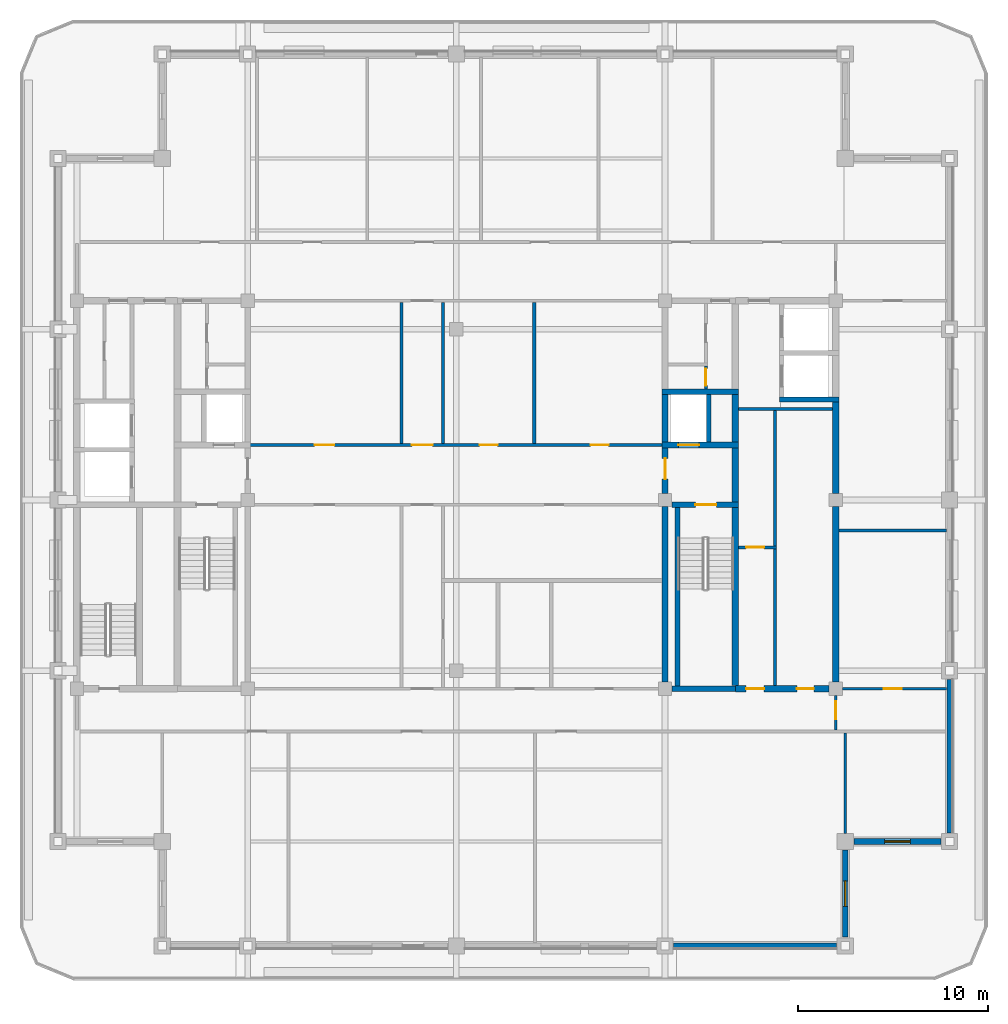
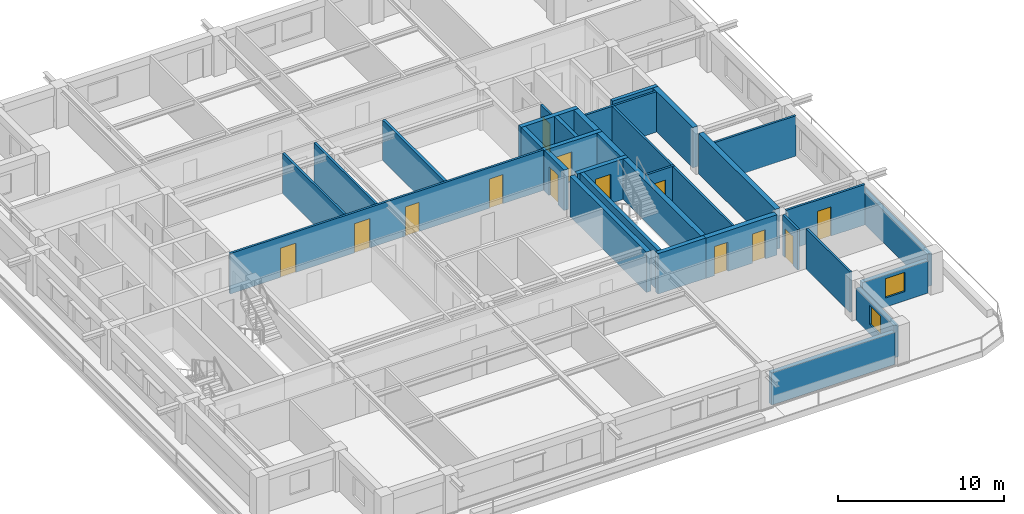
# One storey, part 4 of 11: 33 walls, 13 doors, 2 windows, 15 openings.
"""IFC4 building model written with IfcOpenShell, lengths in metres."""

from ifc_helpers import new_model, si_unit, direction, frame, frame_2d, origin, place, context, subcontext, project, spatial, rectangle, extrude, material, layer, layer_set, type_object, element, fill, save


model = new_model("IFC4")

# Units and contexts
model_context = context("Model", 3, precision=1e-05, world=origin(), true_north=direction((0.0, 1.0)))
body_context = subcontext(model_context, "Body", "Model", "MODEL_VIEW")
ifc_project = project(units=[si_unit("LENGTHUNIT", "METRE"), si_unit("AREAUNIT", "SQUARE_METRE"), si_unit("VOLUMEUNIT", "CUBIC_METRE"), si_unit("PLANEANGLEUNIT", "RADIAN"), si_unit("MASSUNIT", "GRAM", prefix="KILO")], contexts=[model_context])

# Site, building, storey
site_placement = place(None, origin())
site = spatial("IfcSite", under=ifc_project, at=site_placement, CompositionType="ELEMENT")
building_placement = place(site_placement, origin())
building = spatial("IfcBuilding", under=site, at=building_placement, Name="Zulmaris Gate Convention Tower", CompositionType="ELEMENT")
storey_placement = place(building_placement, frame((0.0, 0.0, 233.280029296875)))
storey = spatial("IfcBuildingStorey", under=building, at=storey_placement, Name="L61", CompositionType="ELEMENT", Elevation=233.280029296875)

# Walls
ifc_material_1 = material(Name="Concrete C50/60", Category="concrete")
ifc_layer_1 = layer(ifc_material_1, 0.25, Name="Concrete C50/60")
ifc_layer_set_1 = layer_set([ifc_layer_1], Name="Concrete C50/60")
wall_type_1 = type_object("IfcWallType", Name="CORE-250", PredefinedType="SOLIDWALL", material=ifc_layer_set_1)
wall_1_placement = place(storey_placement, frame((17.02490234375, 5.300048828125, 0.0), z_axis=(0.0, 0.0, 1.0), x_axis=(1.0, 0.0, 0.0)))
element("IfcWall", 1, at=wall_1_placement, inside=storey, type_object=wall_type_1, Name="WL-L61-011", PredefinedType="SOLIDWALL", context=body_context, shape_type="SweptSolid", body=[
    extrude(rectangle(XDim=3.150146484375, YDim=0.25, at=frame_2d((1.5751953125, 0.0))), origin(), (0.0, 0.0, 1.0), 2.97998046875),
])
wall_2_placement = place(storey_placement, frame((11.64990234375, -9.798095703125, 0.0), z_axis=(0.0, 0.0, 1.0), x_axis=(0.0, 1.0, 0.0)))
element("IfcWall", 2, at=wall_2_placement, inside=storey, type_object=wall_type_1, Name="WL-L61-054", PredefinedType="SOLIDWALL", context=body_context, shape_type="SweptSolid", body=[
    extrude(rectangle(XDim=9.39599609375, YDim=0.25, at=frame_2d((4.697998046875, 0.0))), origin(), (0.0, 0.0, 1.0), 2.97998046875),
])
wall_3_placement = place(storey_placement, frame((13.300048828125, 3.052001953125, 0.0), z_axis=(0.0, 0.0, 1.0), x_axis=(0.0, 1.0, 0.0)))
element("IfcWall", 3, at=wall_3_placement, inside=storey, type_object=wall_type_1, Name="WL-L61-055", PredefinedType="SOLIDWALL", context=body_context, shape_type="SweptSolid", body=[
    extrude(rectangle(XDim=2.49609375, YDim=0.25, at=frame_2d((1.248046875, 0.0))), origin(), (0.0, 0.0, 1.0), 2.97998046875),
])
ifc_layer_2 = layer(ifc_material_1, 0.300048828125, Name="Concrete C50/60")
ifc_layer_set_2 = layer_set([ifc_layer_2], Name="Concrete C50/60")
wall_type_2 = type_object("IfcWallType", Name="CORE-300", PredefinedType="SHEAR", material=ifc_layer_set_2)
wall_4_placement = place(storey_placement, frame((11.35400390625, -9.949951171875, 0.0), z_axis=(0.0, 0.0, 1.0), x_axis=(1.0, 0.0, 0.0)))
element("IfcWall", 4, at=wall_4_placement, inside=storey, type_object=wall_type_2, Name="WL-L61-003", PredefinedType="SHEAR", context=body_context, shape_type="SweptSolid", body=[
    extrude(rectangle(XDim=3.345947265625, YDim=0.300048828125, at=frame_2d((1.6728515625, 0.0))), origin(), (0.0, 0.0, 1.0), 2.97998046875),
])

# Wall, opening, door
wall_5_placement = place(storey_placement, frame((11.35400390625, -0.25, 0.0), z_axis=(0.0, 0.0, 1.0), x_axis=(1.0, 0.0, 0.0)))
wall_5 = element("IfcWall", 5, at=wall_5_placement, inside=storey, type_object=wall_type_2, Name="WL-L61-006", PredefinedType="SHEAR", context=body_context, shape_type="SweptSolid", body=[
    extrude(rectangle(XDim=3.52099609375, YDim=0.300048828125, at=frame_2d((1.760498046875, 0.0))), origin(), (0.0, 0.0, 1.0), 2.97998046875),
])
opening_1_placement = place(wall_5_placement, frame((1.24609375, 0.0, 0.0)))
opening_1 = element("IfcOpeningElement", 6, at=opening_1_placement, cuts=wall_5, Name="Opening D-08", PredefinedType="OPENING", context=body_context, shape_type="SweptSolid", body=[
    extrude(rectangle(XDim=1.10009765625, YDim=2.14990234375, at=frame_2d((0.550048828125, 1.074951171875))), frame((0.0, 0.16015625, 0.0), z_axis=(0.0, -1.0, 0.0), x_axis=(1.0, 0.0, 0.0)), (0.0, 0.0, 1.0), 0.320068359375),
])
ifc_material_2 = material(Name="Fire-Rated Steel", Category="steel")
door_type_1 = type_object("IfcDoorType", Name="DR-1100-FD", OperationType="NOTDEFINED", PredefinedType="DOOR", material=ifc_material_2)
door_1_placement = place(opening_1_placement, origin())
door_1 = element("IfcDoor", 7, at=door_1_placement, inside=storey, type_object=door_type_1, Name="L61 Exit Stair ST-2 Door 04", OperationType="SINGLE_SWING_LEFT", OverallHeight=2.14990234375, OverallWidth=1.10009765625, PredefinedType="DOOR", context=body_context, shape_type="SweptSolid", body=[
    extrude(rectangle(XDim=1.10009765625, YDim=2.14990234375, at=frame_2d((0.550048828125, 1.074951171875))), frame((0.0, 0.02490234375, 0.0), z_axis=(0.0, -1.0, 0.0), x_axis=(1.0, 0.0, 0.0)), (0.0, 0.0, 1.0), 0.050048828125),
])
fill(opening_1, door_1)

wall_6_placement = place(storey_placement, frame((10.85009765625, 2.89990234375, 0.0), z_axis=(0.0, 0.0, 1.0), x_axis=(1.0, 0.0, 0.0)))
wall_6 = element("IfcWall", 8, at=wall_6_placement, inside=storey, type_object=wall_type_2, Name="WL-L61-009", PredefinedType="SHEAR", context=body_context, shape_type="SweptSolid", body=[
    extrude(rectangle(XDim=4.02490234375, YDim=0.300048828125, at=frame_2d((2.012451171875, 0.0))), origin(), (0.0, 0.0, 1.0), 2.97998046875),
])
opening_2_placement = place(wall_6_placement, frame((0.85009765625, 0.0, 0.0)))
opening_2 = element("IfcOpeningElement", 9, at=opening_2_placement, cuts=wall_6, Name="Opening D-06", PredefinedType="OPENING", context=body_context, shape_type="SweptSolid", body=[
    extrude(rectangle(XDim=1.10009765625, YDim=2.199951171875, at=frame_2d((0.550048828125, 1.10009765625))), frame((0.0, 0.16015625, 0.0), z_axis=(0.0, -1.0, 0.0), x_axis=(1.0, 0.0, 0.0)), (0.0, 0.0, 1.0), 0.320068359375),
])
ifc_material_3 = material(Name="Brushed Stainless Steel", Category="steel")
door_type_2 = type_object("IfcDoorType", Name="LD-1100", OperationType="NOTDEFINED", PredefinedType="DOOR", material=ifc_material_3)
door_2_placement = place(opening_2_placement, origin())
door_2 = element("IfcDoor", 10, at=door_2_placement, inside=storey, type_object=door_type_2, Name="L61 Lift Landing Door LF-02 06", OperationType="SLIDING_TO_RIGHT", OverallHeight=2.199951171875, OverallWidth=1.10009765625, PredefinedType="DOOR", context=body_context, shape_type="SweptSolid", body=[
    extrude(rectangle(XDim=1.10009765625, YDim=2.199951171875, at=frame_2d((0.550048828125, 1.10009765625))), frame((0.0, 0.02490234375, 0.0), z_axis=(0.0, -1.0, 0.0), x_axis=(1.0, 0.0, 0.0)), (0.0, 0.0, 1.0), 0.050048828125),
])
fill(opening_2, door_2)

# Walls
wall_7_placement = place(storey_placement, frame((10.85009765625, 5.699951171875, 0.0), z_axis=(0.0, 0.0, 1.0), x_axis=(1.0, 0.0, 0.0)))
element("IfcWall", 11, at=wall_7_placement, inside=storey, type_object=wall_type_2, Name="WL-L61-013", PredefinedType="SHEAR", context=body_context, shape_type="SweptSolid", body=[
    extrude(rectangle(XDim=4.02490234375, YDim=0.300048828125, at=frame_2d((2.012451171875, 0.0))), origin(), (0.0, 0.0, 1.0), 2.97998046875),
])
wall_8_placement = place(storey_placement, frame((11.0, -9.595947265625, 0.0), z_axis=(0.0, 0.0, 1.0), x_axis=(0.0, 1.0, 0.0)))
element("IfcWall", 12, at=wall_8_placement, inside=storey, type_object=wall_type_2, Name="WL-L61-050", PredefinedType="SHEAR", context=body_context, shape_type="SweptSolid", body=[
    extrude(rectangle(XDim=9.241943359375, YDim=0.300048828125, at=frame_2d((4.62109375, 0.0))), origin(), (0.0, 0.0, 1.0), 2.97998046875),
])

# Wall, opening, door
wall_9_placement = place(storey_placement, frame((11.0, 0.35400390625, 0.0), z_axis=(0.0, 0.0, 1.0), x_axis=(0.0, 1.0, 0.0)))
wall_9 = element("IfcWall", 13, at=wall_9_placement, inside=storey, type_object=wall_type_2, Name="WL-L61-051", PredefinedType="SHEAR", context=body_context, shape_type="SweptSolid", body=[
    extrude(rectangle(XDim=2.39404296875, YDim=0.300048828125, at=frame_2d((1.197021484375, 0.0))), origin(), (0.0, 0.0, 1.0), 2.97998046875),
])
opening_3_placement = place(wall_9_placement, frame((0.74609375, 0.0, 0.0)))
opening_3 = element("IfcOpeningElement", 14, at=opening_3_placement, cuts=wall_9, Name="Opening D-08", PredefinedType="OPENING", context=body_context, shape_type="SweptSolid", body=[
    extrude(rectangle(XDim=1.10009765625, YDim=2.14990234375, at=frame_2d((0.550048828125, 1.074951171875))), frame((0.0, 0.16015625, 0.0), z_axis=(0.0, -1.0, 0.0), x_axis=(1.0, 0.0, 0.0)), (0.0, 0.0, 1.0), 0.320068359375),
])
door_3_placement = place(opening_3_placement, origin())
door_3 = element("IfcDoor", 15, at=door_3_placement, inside=storey, type_object=door_type_1, Name="L61 East Firefighting Lobby Door 05", OperationType="SINGLE_SWING_RIGHT", OverallHeight=2.14990234375, OverallWidth=1.10009765625, PredefinedType="DOOR", context=body_context, shape_type="SweptSolid", body=[
    extrude(rectangle(XDim=1.10009765625, YDim=2.14990234375, at=frame_2d((0.550048828125, 1.074951171875))), frame((0.0, 0.02490234375, 0.0), z_axis=(0.0, -1.0, 0.0), x_axis=(1.0, 0.0, 0.0)), (0.0, 0.0, 1.0), 0.050048828125),
])
fill(opening_3, door_3)

# Wall
wall_10_placement = place(storey_placement, frame((11.0, 3.052001953125, 0.0), z_axis=(0.0, 0.0, 1.0), x_axis=(0.0, 1.0, 0.0)))
element("IfcWall", 16, at=wall_10_placement, inside=storey, type_object=wall_type_2, Name="WL-L61-052", PredefinedType="SHEAR", context=body_context, shape_type="SweptSolid", body=[
    extrude(rectangle(XDim=2.49609375, YDim=0.300048828125, at=frame_2d((1.248046875, 0.0))), origin(), (0.0, 0.0, 1.0), 2.97998046875),
])

# Wall, openings, doors
ifc_material_4 = material(Name="Concrete C55/67", Category="concrete")
ifc_layer_3 = layer(ifc_material_4, 0.35009765625, Name="Concrete C55/67")
ifc_layer_set_3 = layer_set([ifc_layer_3], Name="Concrete C55/67")
wall_type_3 = type_object("IfcWallType", Name="CORE-350", PredefinedType="SHEAR", material=ifc_layer_set_3)
wall_11_placement = place(storey_placement, frame((14.699951171875, -9.949951171875, 0.0), z_axis=(0.0, 0.0, 1.0), x_axis=(1.0, 0.0, 0.0)))
wall_11 = element("IfcWall", 17, at=wall_11_placement, inside=storey, type_object=wall_type_3, Name="WL-L61-004", PredefinedType="SHEAR", context=body_context, shape_type="SweptSolid", body=[
    extrude(rectangle(XDim=4.946044921875, YDim=0.35009765625, at=frame_2d((2.47314453125, 0.0))), origin(), (0.0, 0.0, 1.0), 2.97998046875),
])
opening_4_placement = place(wall_11_placement, frame((3.25, 0.0, 0.0)))
opening_4 = element("IfcOpeningElement", 18, at=opening_4_placement, cuts=wall_11, Name="Opening D-12", PredefinedType="OPENING", context=body_context, shape_type="SweptSolid", body=[
    extrude(rectangle(XDim=0.89990234375, YDim=2.14990234375, at=frame_2d((0.449951171875, 1.074951171875))), frame((0.0, 0.18505859375, 0.0), z_axis=(0.0, -1.0, 0.0), x_axis=(1.0, 0.0, 0.0)), (0.0, 0.0, 1.0), 0.3701171875),
])
opening_5_placement = place(wall_11_placement, frame((0.574951171875, 0.0, 0.0)))
opening_5 = element("IfcOpeningElement", 19, at=opening_5_placement, cuts=wall_11, Name="Opening D-11", PredefinedType="OPENING", context=body_context, shape_type="SweptSolid", body=[
    extrude(rectangle(XDim=0.949951171875, YDim=2.14990234375, at=frame_2d((0.47509765625, 1.074951171875))), frame((0.0, 0.18505859375, 0.0), z_axis=(0.0, -1.0, 0.0), x_axis=(1.0, 0.0, 0.0)), (0.0, 0.0, 1.0), 0.3701171875),
])
ifc_material_5 = material(Name="Fire-Rated Timber", Category="wood")
door_type_3 = type_object("IfcDoorType", Name="DR-900-FD", OperationType="NOTDEFINED", PredefinedType="DOOR", material=ifc_material_5)
door_4_placement = place(opening_4_placement, origin())
door_4 = element("IfcDoor", 20, at=door_4_placement, inside=storey, type_object=door_type_3, Name="L61 Core IT Room Door 22", OperationType="SINGLE_SWING_RIGHT", OverallHeight=2.14990234375, OverallWidth=0.89990234375, PredefinedType="DOOR", context=body_context, shape_type="SweptSolid", body=[
    extrude(rectangle(XDim=0.89990234375, YDim=2.14990234375, at=frame_2d((0.449951171875, 1.074951171875))), frame((0.0, 0.02490234375, 0.0), z_axis=(0.0, -1.0, 0.0), x_axis=(1.0, 0.0, 0.0)), (0.0, 0.0, 1.0), 0.050048828125),
])
fill(opening_4, door_4)
door_type_4 = type_object("IfcDoorType", Name="DR-950-FD", OperationType="NOTDEFINED", PredefinedType="DOOR", material=ifc_material_5)
door_5_placement = place(opening_5_placement, origin())
door_5 = element("IfcDoor", 21, at=door_5_placement, inside=storey, type_object=door_type_4, Name="L61 Guest Pantry Door 23", OperationType="SINGLE_SWING_LEFT", OverallHeight=2.14990234375, OverallWidth=0.949951171875, PredefinedType="DOOR", context=body_context, shape_type="SweptSolid", body=[
    extrude(rectangle(XDim=0.949951171875, YDim=2.14990234375, at=frame_2d((0.47509765625, 1.074951171875))), frame((0.0, 0.02490234375, 0.0), z_axis=(0.0, -1.0, 0.0), x_axis=(1.0, 0.0, 0.0)), (0.0, 0.0, 1.0), 0.050048828125),
])
fill(opening_5, door_5)

# Walls
wall_12_placement = place(storey_placement, frame((14.699951171875, -9.77294921875, 0.0), z_axis=(0.0, 0.0, 1.0), x_axis=(0.0, 1.0, 0.0)))
element("IfcWall", 22, at=wall_12_placement, inside=storey, type_object=wall_type_3, Name="WL-L61-056", PredefinedType="SHEAR", context=body_context, shape_type="SweptSolid", body=[
    extrude(rectangle(XDim=9.370849609375, YDim=0.35009765625, at=frame_2d((4.685546875, 0.0))), origin(), (0.0, 0.0, 1.0), 2.97998046875),
])
wall_13_placement = place(storey_placement, frame((14.699951171875, -0.097900390625, 0.0), z_axis=(0.0, 0.0, 1.0), x_axis=(0.0, 1.0, 0.0)))
element("IfcWall", 23, at=wall_13_placement, inside=storey, type_object=wall_type_3, Name="WL-L61-057", PredefinedType="SHEAR", context=body_context, shape_type="SweptSolid", body=[
    extrude(rectangle(XDim=2.845947265625, YDim=0.35009765625, at=frame_2d((1.4228515625, 0.0))), origin(), (0.0, 0.0, 1.0), 2.97998046875),
])
wall_14_placement = place(storey_placement, frame((14.699951171875, 3.052001953125, 0.0), z_axis=(0.0, 0.0, 1.0), x_axis=(0.0, 1.0, 0.0)))
element("IfcWall", 24, at=wall_14_placement, inside=storey, type_object=wall_type_3, Name="WL-L61-058", PredefinedType="SHEAR", context=body_context, shape_type="SweptSolid", body=[
    extrude(rectangle(XDim=2.49609375, YDim=0.35009765625, at=frame_2d((1.248046875, 0.0))), origin(), (0.0, 0.0, 1.0), 2.97998046875),
])
wall_15_placement = place(storey_placement, frame((20.0, -9.595947265625, 0.0), z_axis=(0.0, 0.0, 1.0), x_axis=(0.0, 1.0, 0.0)))
element("IfcWall", 25, at=wall_15_placement, inside=storey, type_object=wall_type_3, Name="WL-L61-062", PredefinedType="SHEAR", context=body_context, shape_type="SweptSolid", body=[
    extrude(rectangle(XDim=9.241943359375, YDim=0.35009765625, at=frame_2d((4.62109375, 0.0))), origin(), (0.0, 0.0, 1.0), 2.97998046875),
])
wall_16_placement = place(storey_placement, frame((20.0, 0.35400390625, 0.0), z_axis=(0.0, 0.0, 1.0), x_axis=(0.0, 1.0, 0.0)))
element("IfcWall", 26, at=wall_16_placement, inside=storey, type_object=wall_type_3, Name="WL-L61-062S1", PredefinedType="SHEAR", context=body_context, shape_type="SweptSolid", body=[
    extrude(rectangle(XDim=4.819091796875, YDim=0.35009765625, at=frame_2d((2.40966796875, 0.0))), origin(), (0.0, 0.0, 1.0), 2.97998046875),
])

# Wall, opening, door
ifc_material_6 = material(Name="Gypsum Metal Stud Partition")
ifc_layer_4 = layer(ifc_material_6, 0.14990234375, Name="Gypsum Metal Stud Partition")
ifc_layer_set_4 = layer_set([ifc_layer_4], Name="Gypsum Metal Stud Partition")
wall_type_4 = type_object("IfcWallType", Name="PART-150", PredefinedType="PARTITIONING", material=ifc_layer_set_4)
wall_17_placement = place(storey_placement, frame((20.35595703125, -9.949951171875, 0.0), z_axis=(0.0, 0.0, 1.0), x_axis=(1.0, 0.0, 0.0)))
wall_17 = element("IfcWall", 27, at=wall_17_placement, inside=storey, type_object=wall_type_4, Name="WL-L61-021", PredefinedType="PARTITIONING", context=body_context, shape_type="SweptSolid", body=[
    extrude(rectangle(XDim=5.47900390625, YDim=0.14990234375, at=frame_2d((2.739501953125, 0.0))), origin(), (0.0, 0.0, 1.0), 2.97998046875),
])
opening_6_placement = place(wall_17_placement, frame((2.1689453125, 0.0, 0.0)))
opening_6 = element("IfcOpeningElement", 28, at=opening_6_placement, cuts=wall_17, Name="Opening D-11", PredefinedType="OPENING", context=body_context, shape_type="SweptSolid", body=[
    extrude(rectangle(XDim=0.949951171875, YDim=2.14990234375, at=frame_2d((0.47509765625, 1.074951171875))), frame((0.0, 0.0849609375, 0.0), z_axis=(0.0, -1.0, 0.0), x_axis=(1.0, 0.0, 0.0)), (0.0, 0.0, 1.0), 0.169921875),
])
door_6_placement = place(opening_6_placement, origin())
door_6 = element("IfcDoor", 29, at=door_6_placement, inside=storey, type_object=door_type_4, Name="L61 SE Partner Door 49", OperationType="SINGLE_SWING_LEFT", OverallHeight=2.14990234375, OverallWidth=0.949951171875, PredefinedType="DOOR", context=body_context, shape_type="SweptSolid", body=[
    extrude(rectangle(XDim=0.949951171875, YDim=2.14990234375, at=frame_2d((0.47509765625, 1.074951171875))), frame((0.0, 0.02490234375, 0.0), z_axis=(0.0, -1.0, 0.0), x_axis=(1.0, 0.0, 0.0)), (0.0, 0.0, 1.0), 0.050048828125),
])
fill(opening_6, door_6)

wall_18_placement = place(storey_placement, frame((14.8779296875, -2.5, 0.0), z_axis=(0.0, 0.0, 1.0), x_axis=(1.0, 0.0, 0.0)))
wall_18 = element("IfcWall", 30, at=wall_18_placement, inside=storey, type_object=wall_type_4, Name="WL-L61-023", PredefinedType="PARTITIONING", context=body_context, shape_type="SweptSolid", body=[
    extrude(rectangle(XDim=1.9970703125, YDim=0.14990234375, at=frame_2d((0.99853515625, 0.0))), origin(), (0.0, 0.0, 1.0), 2.97998046875),
])
opening_7_placement = place(wall_18_placement, frame((0.39697265625, 0.0, 0.0)))
opening_7 = element("IfcOpeningElement", 31, at=opening_7_placement, cuts=wall_18, Name="Opening D-11", PredefinedType="OPENING", context=body_context, shape_type="SweptSolid", body=[
    extrude(rectangle(XDim=0.949951171875, YDim=2.14990234375, at=frame_2d((0.47509765625, 1.074951171875))), frame((0.0, 0.0849609375, 0.0), z_axis=(0.0, -1.0, 0.0), x_axis=(1.0, 0.0, 0.0)), (0.0, 0.0, 1.0), 0.169921875),
])
door_7_placement = place(opening_7_placement, origin())
door_7 = element("IfcDoor", 32, at=door_7_placement, inside=storey, type_object=door_type_4, Name="L61 Supply Closet Door 24", OperationType="SINGLE_SWING_RIGHT", OverallHeight=2.14990234375, OverallWidth=0.949951171875, PredefinedType="DOOR", context=body_context, shape_type="SweptSolid", body=[
    extrude(rectangle(XDim=0.949951171875, YDim=2.14990234375, at=frame_2d((0.47509765625, 1.074951171875))), frame((0.0, 0.02490234375, 0.0), z_axis=(0.0, -1.0, 0.0), x_axis=(1.0, 0.0, 0.0)), (0.0, 0.0, 1.0), 0.050048828125),
])
fill(opening_7, door_7)

# Wall
wall_19_placement = place(storey_placement, frame((20.177978515625, -1.60009765625, 0.0), z_axis=(0.0, 0.0, 1.0), x_axis=(1.0, 0.0, 0.0)))
element("IfcWall", 33, at=wall_19_placement, inside=storey, type_object=wall_type_4, Name="WL-L61-024", PredefinedType="PARTITIONING", context=body_context, shape_type="SweptSolid", body=[
    extrude(rectangle(XDim=5.656982421875, YDim=0.14990234375, at=frame_2d((2.82861328125, 0.0))), origin(), (0.0, 0.0, 1.0), 2.97998046875),
])

# Wall, openings, doors
wall_20_placement = place(storey_placement, frame((-11.0, 2.89990234375, 0.0), z_axis=(0.0, 0.0, 1.0), x_axis=(1.0, 0.0, 0.0)))
wall_20 = element("IfcWall", 34, at=wall_20_placement, inside=storey, type_object=wall_type_4, Name="WL-L61-026", PredefinedType="PARTITIONING", context=body_context, shape_type="SweptSolid", body=[
    extrude(rectangle(XDim=22.0, YDim=0.14990234375, at=frame_2d((11.0, 0.0))), origin(), (0.0, 0.0, 1.0), 2.97998046875),
])
opening_8_placement = place(wall_20_placement, frame((8.64990234375, 0.0, 0.0)))
opening_8 = element("IfcOpeningElement", 35, at=opening_8_placement, cuts=wall_20, Name="Opening D-08", PredefinedType="OPENING", context=body_context, shape_type="SweptSolid", body=[
    extrude(rectangle(XDim=1.10009765625, YDim=2.14990234375, at=frame_2d((0.550048828125, 1.074951171875))), frame((0.0, 0.0849609375, 0.0), z_axis=(0.0, -1.0, 0.0), x_axis=(1.0, 0.0, 0.0)), (0.0, 0.0, 1.0), 0.169921875),
])
opening_9_placement = place(wall_20_placement, frame((3.52490234375, 0.0, 0.0)))
opening_9 = element("IfcOpeningElement", 36, at=opening_9_placement, cuts=wall_20, Name="Opening D-09", PredefinedType="OPENING", context=body_context, shape_type="SweptSolid", body=[
    extrude(rectangle(XDim=1.050048828125, YDim=2.14990234375, at=frame_2d((0.52490234375, 1.074951171875))), frame((0.0, 0.0849609375, 0.0), z_axis=(0.0, -1.0, 0.0), x_axis=(1.0, 0.0, 0.0)), (0.0, 0.0, 1.0), 0.169921875),
])
opening_10_placement = place(wall_20_placement, frame((12.22509765625, 0.0, 0.0)))
opening_10 = element("IfcOpeningElement", 37, at=opening_10_placement, cuts=wall_20, Name="Opening D-11", PredefinedType="OPENING", context=body_context, shape_type="SweptSolid", body=[
    extrude(rectangle(XDim=0.949951171875, YDim=2.14990234375, at=frame_2d((0.47509765625, 1.074951171875))), frame((0.0, 0.0849609375, 0.0), z_axis=(0.0, -1.0, 0.0), x_axis=(1.0, 0.0, 0.0)), (0.0, 0.0, 1.0), 0.169921875),
])
opening_11_placement = place(wall_20_placement, frame((18.074951171875, 0.0, 0.0)))
opening_11 = element("IfcOpeningElement", 38, at=opening_11_placement, cuts=wall_20, Name="Opening D-11", PredefinedType="OPENING", context=body_context, shape_type="SweptSolid", body=[
    extrude(rectangle(XDim=0.949951171875, YDim=2.14990234375, at=frame_2d((0.47509765625, 1.074951171875))), frame((0.0, 0.0849609375, 0.0), z_axis=(0.0, -1.0, 0.0), x_axis=(1.0, 0.0, 0.0)), (0.0, 0.0, 1.0), 0.169921875),
])
door_type_5 = type_object("IfcDoorType", Name="DR-1050-FD", OperationType="NOTDEFINED", PredefinedType="DOOR", material=ifc_material_2)
door_8_placement = place(opening_9_placement, origin())
door_8 = element("IfcDoor", 39, at=door_8_placement, inside=storey, type_object=door_type_5, Name="L61 Reception Door 38", OperationType="SINGLE_SWING_RIGHT", OverallHeight=2.14990234375, OverallWidth=1.050048828125, PredefinedType="DOOR", context=body_context, shape_type="SweptSolid", body=[
    extrude(rectangle(XDim=1.050048828125, YDim=2.14990234375, at=frame_2d((0.52490234375, 1.074951171875))), frame((0.0, 0.02490234375, 0.0), z_axis=(0.0, -1.0, 0.0), x_axis=(1.0, 0.0, 0.0)), (0.0, 0.0, 1.0), 0.050048828125),
])
fill(opening_9, door_8)
door_9_placement = place(opening_8_placement, origin())
door_9 = element("IfcDoor", 40, at=door_9_placement, inside=storey, type_object=door_type_1, Name="L61 Exec Cross North Door 27", OperationType="SINGLE_SWING_LEFT", OverallHeight=2.14990234375, OverallWidth=1.10009765625, PredefinedType="DOOR", context=body_context, shape_type="SweptSolid", body=[
    extrude(rectangle(XDim=1.10009765625, YDim=2.14990234375, at=frame_2d((0.550048828125, 1.074951171875))), frame((0.0, 0.02490234375, 0.0), z_axis=(0.0, -1.0, 0.0), x_axis=(1.0, 0.0, 0.0)), (0.0, 0.0, 1.0), 0.050048828125),
])
fill(opening_8, door_9)
door_10_placement = place(opening_10_placement, origin())
door_10 = element("IfcDoor", 41, at=door_10_placement, inside=storey, type_object=door_type_4, Name="L61 Briefing Door 39", OperationType="SINGLE_SWING_LEFT", OverallHeight=2.14990234375, OverallWidth=0.949951171875, PredefinedType="DOOR", context=body_context, shape_type="SweptSolid", body=[
    extrude(rectangle(XDim=0.949951171875, YDim=2.14990234375, at=frame_2d((0.47509765625, 1.074951171875))), frame((0.0, 0.02490234375, 0.0), z_axis=(0.0, -1.0, 0.0), x_axis=(1.0, 0.0, 0.0)), (0.0, 0.0, 1.0), 0.050048828125),
])
fill(opening_10, door_10)
door_11_placement = place(opening_11_placement, origin())
door_11 = element("IfcDoor", 42, at=door_11_placement, inside=storey, type_object=door_type_4, Name="L61 Dining Pantry Door 40", OperationType="SINGLE_SWING_RIGHT", OverallHeight=2.14990234375, OverallWidth=0.949951171875, PredefinedType="DOOR", context=body_context, shape_type="SweptSolid", body=[
    extrude(rectangle(XDim=0.949951171875, YDim=2.14990234375, at=frame_2d((0.47509765625, 1.074951171875))), frame((0.0, 0.02490234375, 0.0), z_axis=(0.0, -1.0, 0.0), x_axis=(1.0, 0.0, 0.0)), (0.0, 0.0, 1.0), 0.050048828125),
])
fill(opening_11, door_11)

# Walls
wall_21_placement = place(storey_placement, frame((14.8779296875, 4.800048828125, 0.0), z_axis=(0.0, 0.0, 1.0), x_axis=(1.0, 0.0, 0.0)))
element("IfcWall", 43, at=wall_21_placement, inside=storey, type_object=wall_type_4, Name="WL-L61-027", PredefinedType="PARTITIONING", context=body_context, shape_type="SweptSolid", body=[
    extrude(rectangle(XDim=4.944091796875, YDim=0.14990234375, at=frame_2d((2.47216796875, 0.0))), origin(), (0.0, 0.0, 1.0), 2.97998046875),
])
for number, where, z_axis, x_axis, name in (
    (44, (-2.89990234375, 2.97802734375, 0.0), (0.0, 0.0, 1.0), (0.0, 1.0, 0.0), "WL-L61-076"),
    (45, (-0.699951171875, 2.97802734375, 0.0), (0.0, 0.0, 1.0), (0.0, 1.0, 0.0), "WL-L61-079"),
):
    element("IfcWall", number, at=place(storey_placement, frame(where, z_axis=z_axis, x_axis=x_axis)), inside=storey, type_object=wall_type_4, Name=name, PredefinedType="PARTITIONING", context=body_context, shape_type="SweptSolid", body=[
        extrude(rectangle(XDim=7.444091796875, YDim=0.14990234375, at=frame_2d((3.72216796875, 0.0))), origin(), (0.0, 0.0, 1.0), 2.97998046875),
    ])

# Wall, opening, door
wall_22_placement = place(storey_placement, frame((13.14990234375, 5.85302734375, 0.0), z_axis=(0.0, 0.0, 1.0), x_axis=(0.0, 1.0, 0.0)))
wall_22 = element("IfcWall", 46, at=wall_22_placement, inside=storey, type_object=wall_type_4, Name="WL-L61-086", PredefinedType="PARTITIONING", context=body_context, shape_type="SweptSolid", body=[
    extrude(rectangle(XDim=1.218994140625, YDim=0.14990234375, at=frame_2d((0.609375, 0.0))), origin(), (0.0, 0.0, 1.0), 2.97998046875),
])
opening_12_placement = place(wall_22_placement, frame((0.1689453125, 0.0, 0.0)))
opening_12 = element("IfcOpeningElement", 47, at=opening_12_placement, cuts=wall_22, Name="Opening D-12", PredefinedType="OPENING", context=body_context, shape_type="SweptSolid", body=[
    extrude(rectangle(XDim=0.89990234375, YDim=2.14990234375, at=frame_2d((0.449951171875, 1.074951171875))), frame((0.0, 0.0849609375, 0.0), z_axis=(0.0, -1.0, 0.0), x_axis=(1.0, 0.0, 0.0)), (0.0, 0.0, 1.0), 0.169921875),
])
door_12_placement = place(opening_12_placement, origin())
door_12 = element("IfcDoor", 48, at=door_12_placement, inside=storey, type_object=door_type_3, Name="L61 Core Staff WC Door 11", OperationType="SINGLE_SWING_LEFT", OverallHeight=2.14990234375, OverallWidth=0.89990234375, PredefinedType="DOOR", context=body_context, shape_type="SweptSolid", body=[
    extrude(rectangle(XDim=0.89990234375, YDim=2.14990234375, at=frame_2d((0.449951171875, 1.074951171875))), frame((0.0, 0.02490234375, 0.0), z_axis=(0.0, -1.0, 0.0), x_axis=(1.0, 0.0, 0.0)), (0.0, 0.0, 1.0), 0.050048828125),
])
fill(opening_12, door_12)

# Walls
wall_23_placement = place(storey_placement, frame((16.800048828125, -9.77197265625, 0.0), z_axis=(0.0, 0.0, 1.0), x_axis=(0.0, 1.0, 0.0)))
element("IfcWall", 49, at=wall_23_placement, inside=storey, type_object=wall_type_4, Name="WL-L61-089", PredefinedType="PARTITIONING", context=body_context, shape_type="SweptSolid", body=[
    extrude(rectangle(XDim=7.194091796875, YDim=0.14990234375, at=frame_2d((3.59716796875, 0.0))), origin(), (0.0, 0.0, 1.0), 2.97998046875),
])
wall_24_placement = place(storey_placement, frame((16.800048828125, -2.422119140625, 0.0), z_axis=(0.0, 0.0, 1.0), x_axis=(0.0, 1.0, 0.0)))
element("IfcWall", 50, at=wall_24_placement, inside=storey, type_object=wall_type_4, Name="WL-L61-090", PredefinedType="PARTITIONING", context=body_context, shape_type="SweptSolid", body=[
    extrude(rectangle(XDim=7.14404296875, YDim=0.14990234375, at=frame_2d((3.572021484375, 0.0))), origin(), (0.0, 0.0, 1.0), 2.97998046875),
])

# Wall, opening, door
wall_25_placement = place(storey_placement, frame((20.0, -12.1220703125, 0.0), z_axis=(0.0, 0.0, 1.0), x_axis=(0.0, 1.0, 0.0)))
wall_25 = element("IfcWall", 51, at=wall_25_placement, inside=storey, type_object=wall_type_4, Name="WL-L61-091", PredefinedType="PARTITIONING", context=body_context, shape_type="SweptSolid", body=[
    extrude(rectangle(XDim=1.816162109375, YDim=0.14990234375, at=frame_2d((0.908203125, 0.0))), origin(), (0.0, 0.0, 1.0), 2.97998046875),
])
opening_13_placement = place(wall_25_placement, frame((0.576904296875, 0.0, 0.0)))
opening_13 = element("IfcOpeningElement", 52, at=opening_13_placement, cuts=wall_25, Name="Opening D-11", PredefinedType="OPENING", context=body_context, shape_type="SweptSolid", body=[
    extrude(rectangle(XDim=0.949951171875, YDim=2.14990234375, at=frame_2d((0.47509765625, 1.074951171875))), frame((0.0, 0.0849609375, 0.0), z_axis=(0.0, -1.0, 0.0), x_axis=(1.0, 0.0, 0.0)), (0.0, 0.0, 1.0), 0.169921875),
])
door_13_placement = place(opening_13_placement, origin())
door_13 = element("IfcDoor", 53, at=door_13_placement, inside=storey, type_object=door_type_4, Name="L61 SE Spur Door 47", OperationType="SINGLE_SWING_LEFT", OverallHeight=2.14990234375, OverallWidth=0.949951171875, PredefinedType="DOOR", context=body_context, shape_type="SweptSolid", body=[
    extrude(rectangle(XDim=0.949951171875, YDim=2.14990234375, at=frame_2d((0.47509765625, 1.074951171875))), frame((0.0, 0.02490234375, 0.0), z_axis=(0.0, -1.0, 0.0), x_axis=(1.0, 0.0, 0.0)), (0.0, 0.0, 1.0), 0.050048828125),
])
fill(opening_13, door_13)

# Walls
wall_26_placement = place(storey_placement, frame((20.5, -17.569091796875, 0.0), z_axis=(0.0, 0.0, 1.0), x_axis=(0.0, 1.0, 0.0)))
element("IfcWall", 54, at=wall_26_placement, inside=storey, type_object=wall_type_4, Name="WL-L61-093", PredefinedType="PARTITIONING", context=body_context, shape_type="SweptSolid", body=[
    extrude(rectangle(XDim=5.291015625, YDim=0.14990234375, at=frame_2d((2.6455078125, 0.0))), origin(), (0.0, 0.0, 1.0), 2.97998046875),
])
ifc_material_7 = material(Name="Autoclaved Aerated Concrete Block and Plasterboard", Category="concrete")
ifc_layer_5 = layer(ifc_material_7, 0.199951171875, Name="Autoclaved Aerated Concrete Block and Plasterboard")
ifc_layer_set_5 = layer_set([ifc_layer_5], Name="Autoclaved Aerated Concrete Block and Plasterboard")
wall_type_5 = type_object("IfcWallType", Name="PART-200", PredefinedType="PARTITIONING", material=ifc_layer_set_5)
wall_27_placement = place(storey_placement, frame((4.10009765625, 2.97802734375, 0.0), z_axis=(0.0, 0.0, 1.0), x_axis=(0.0, 1.0, 0.0)))
element("IfcWall", 55, at=wall_27_placement, inside=storey, type_object=wall_type_5, Name="WL-L61-082", PredefinedType="PARTITIONING", context=body_context, shape_type="SweptSolid", body=[
    extrude(rectangle(XDim=7.444091796875, YDim=0.199951171875, at=frame_2d((3.72216796875, 0.0))), origin(), (0.0, 0.0, 1.0), 2.97998046875),
])

# Wall, opening, window
ifc_material_8 = material(Name="Precast concrete C40/50", Category="concrete")
ifc_layer_6 = layer(ifc_material_8, 0.300048828125, Name="Precast concrete C40/50")
ifc_layer_set_6 = layer_set([ifc_layer_6], Name="Precast concrete C40/50")
wall_type_6 = type_object("IfcWallType", Name="PRECAST-PIER-300", PredefinedType="STANDARD", material=ifc_layer_set_6)
wall_28_placement = place(storey_placement, frame((20.5, -23.044921875, 0.0), z_axis=(0.0, 0.0, 1.0), x_axis=(0.0, 1.0, 0.0)))
wall_28 = element("IfcWall", 56, at=wall_28_placement, inside=storey, type_object=wall_type_6, Name="EW-L61-NOTCH-SE1_0", PredefinedType="STANDARD", context=body_context, shape_type="SweptSolid", body=[
    extrude(rectangle(XDim=4.58984375, YDim=0.300048828125, at=frame_2d((2.294921875, 0.0))), origin(), (0.0, 0.0, 1.0), 2.3720703125),
])
opening_14_placement = place(wall_28_placement, frame((1.6201171875, 0.0, 0.679931640625)))
opening_14 = element("IfcOpeningElement", 57, at=opening_14_placement, cuts=wall_28, Name="Opening W-10", PredefinedType="OPENING", context=body_context, shape_type="SweptSolid", body=[
    extrude(rectangle(XDim=1.35009765625, YDim=1.419921875, at=frame_2d((0.675048828125, 0.7099609375))), frame((0.0, 0.16015625, 0.0), z_axis=(0.0, -1.0, 0.0), x_axis=(1.0, 0.0, 0.0)), (0.0, 0.0, 1.0), 0.320068359375),
])
ifc_material_9 = material(Name="Low-E Laminated Double Glazing in Aluminium Frame", Category="aluminium")
window_type = type_object("IfcWindowType", Name="WIN-1350x2000", PartitioningType="SINGLE_PANEL", PredefinedType="WINDOW", material=ifc_material_9)
window_1_placement = place(opening_14_placement, origin())
window_1 = element("IfcWindow", 58, at=window_1_placement, inside=storey, type_object=window_type, Name="WN-EW-L61-NOTCH-SE1_0", OverallHeight=1.419921875, OverallWidth=1.35009765625, PartitioningType="SINGLE_PANEL", PredefinedType="WINDOW", context=body_context, shape_type="SweptSolid", body=[
    extrude(rectangle(XDim=1.35009765625, YDim=1.419921875, at=frame_2d((0.675048828125, 0.7099609375))), frame((0.0, 0.030029296875, 0.0), z_axis=(0.0, -1.0, 0.0), x_axis=(1.0, 0.0, 0.0)), (0.0, 0.0, 1.0), 0.06005859375),
])
fill(opening_14, window_1)

wall_29_placement = place(storey_placement, frame((20.955078125, -18.0, 0.0), z_axis=(0.0, 0.0, 1.0), x_axis=(1.0, 0.0, 0.0)))
wall_29 = element("IfcWall", 59, at=wall_29_placement, inside=storey, type_object=wall_type_6, Name="EW-L61-NOTCH-SE2_0", PredefinedType="STANDARD", context=body_context, shape_type="SweptSolid", body=[
    extrude(rectangle(XDim=4.58984375, YDim=0.300048828125, at=frame_2d((2.294921875, 0.0))), origin(), (0.0, 0.0, 1.0), 2.3720703125),
])
opening_15_placement = place(wall_29_placement, frame((1.6201171875, 0.0, 0.679931640625)))
opening_15 = element("IfcOpeningElement", 60, at=opening_15_placement, cuts=wall_29, Name="Opening W-10", PredefinedType="OPENING", context=body_context, shape_type="SweptSolid", body=[
    extrude(rectangle(XDim=1.35009765625, YDim=1.419921875, at=frame_2d((0.675048828125, 0.7099609375))), frame((0.0, 0.16015625, 0.0), z_axis=(0.0, -1.0, 0.0), x_axis=(1.0, 0.0, 0.0)), (0.0, 0.0, 1.0), 0.320068359375),
])
window_2_placement = place(opening_15_placement, origin())
window_2 = element("IfcWindow", 61, at=window_2_placement, inside=storey, type_object=window_type, Name="WN-EW-L61-NOTCH-SE2_0", OverallHeight=1.419921875, OverallWidth=1.35009765625, PartitioningType="SINGLE_PANEL", PredefinedType="WINDOW", context=body_context, shape_type="SweptSolid", body=[
    extrude(rectangle(XDim=1.35009765625, YDim=1.419921875, at=frame_2d((0.675048828125, 0.7099609375))), frame((0.0, 0.030029296875, 0.0), z_axis=(0.0, -1.0, 0.0), x_axis=(1.0, 0.0, 0.0)), (0.0, 0.0, 1.0), 0.06005859375),
])
fill(opening_15, window_2)

# Walls
wall_30_placement = place(storey_placement, frame((11.455078125, -23.5, 0.0), z_axis=(0.0, 0.0, 1.0), x_axis=(1.0, 0.0, 0.0)))
element("IfcWall", 62, at=wall_30_placement, inside=storey, type_object=wall_type_6, Name="EW-L61-S-3_0", PredefinedType="STANDARD", context=body_context, shape_type="SweptSolid", body=[
    extrude(rectangle(XDim=8.58984375, YDim=0.300048828125, at=frame_2d((4.294921875, 0.0))), origin(), (0.0, 0.0, 1.0), 2.3720703125),
])
wall_31_placement = place(storey_placement, frame((26.0, -17.544921875, 0.0), z_axis=(0.0, 0.0, 1.0), x_axis=(0.0, 1.0, 0.0)))
element("IfcWall", 63, at=wall_31_placement, inside=storey, type_object=wall_type_6, Name="EW-L61-E-0_0", PredefinedType="STANDARD", context=body_context, shape_type="SweptSolid", body=[
    extrude(rectangle(XDim=8.08984375, YDim=0.300048828125, at=frame_2d((4.044921875, 0.0))), origin(), (0.0, 0.0, 1.0), 2.3720703125),
])

save(model, "model.ifc")
